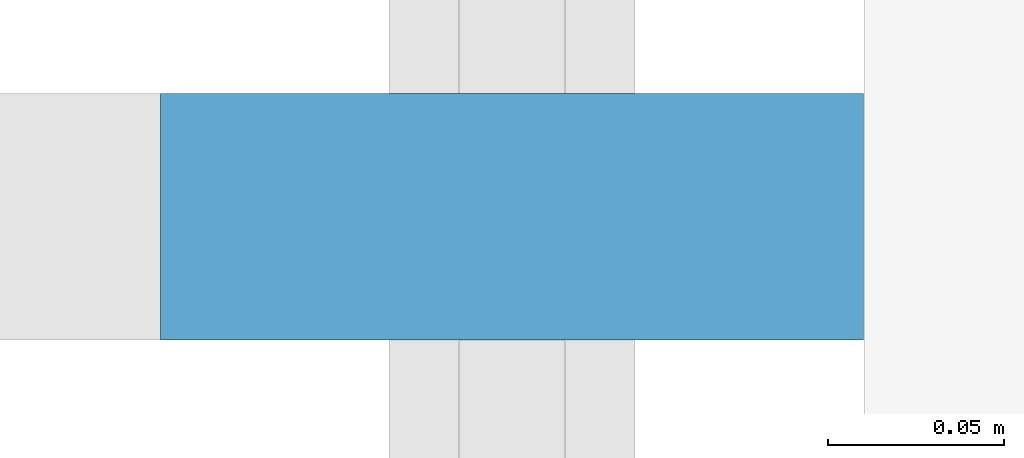
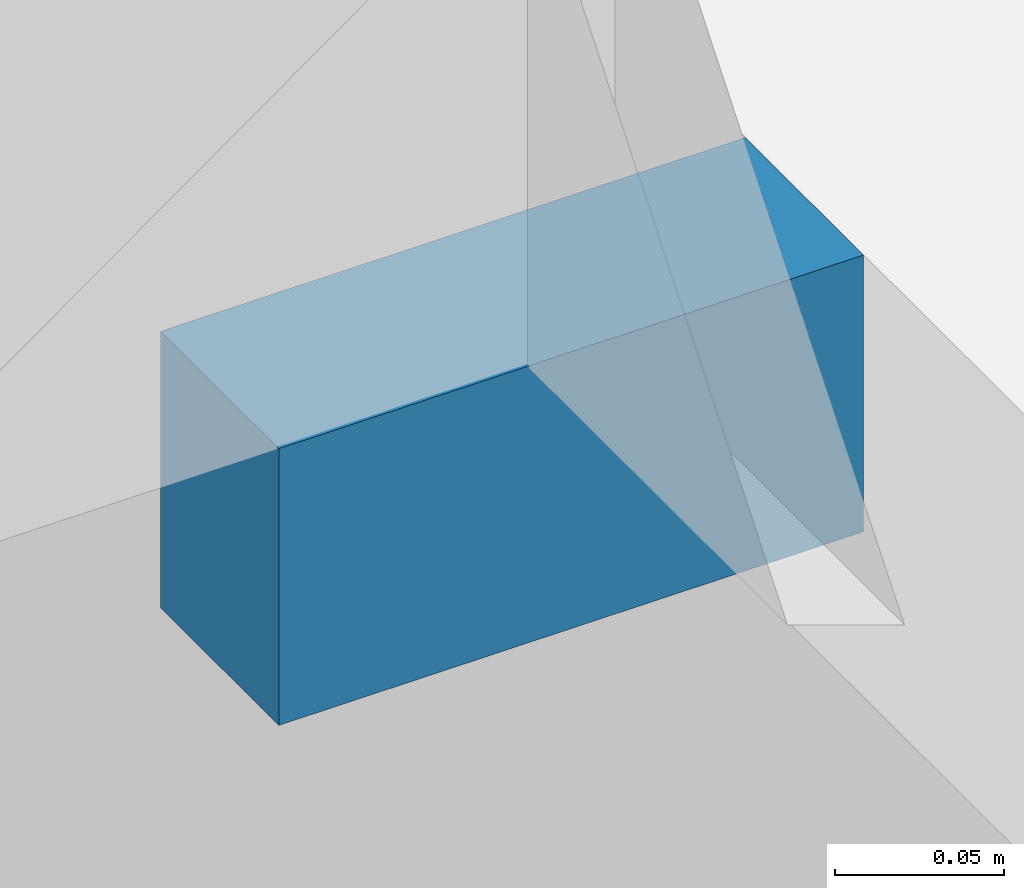
# One storey, part 12 of 16: 1 discrete accessory.
"""IFC4 building model written with IfcOpenShell, lengths in metres."""

from ifc_helpers import new_model, si_unit, direction, frame, origin, origin_2d, place, context, subcontext, project, spatial, rectangle, extrude, element, save


model = new_model("IFC4")

# Units and contexts
model_context = context("Model", 3, precision=1e-05, world=origin(), true_north=direction((0.0, 1.0)))
body_context = subcontext(model_context, "Body", "Model", "MODEL_VIEW")
ifc_project = project(units=[si_unit("LENGTHUNIT", "METRE"), si_unit("AREAUNIT", "SQUARE_METRE"), si_unit("VOLUMEUNIT", "CUBIC_METRE"), si_unit("PLANEANGLEUNIT", "RADIAN"), si_unit("MASSUNIT", "GRAM", prefix="KILO")], contexts=[model_context])

# Site, building, storey
site_placement = place(None, origin())
site = spatial("IfcSite", under=ifc_project, at=site_placement, CompositionType="ELEMENT")
building_placement = place(site_placement, origin())
building = spatial("IfcBuilding", under=site, at=building_placement, Name="Daluyong Arena Tower", CompositionType="ELEMENT")
storey_placement = place(building_placement, frame((0.0, 0.0, 206.5)))
storey = spatial("IfcBuildingStorey", under=building, at=storey_placement, Name="L46", CompositionType="ELEMENT", Elevation=206.5)

# Discrete accessory
discrete_accessory_placement = place(storey_placement, frame((34.25, 87.386474609375, -0.10009765625), z_axis=(0.0, 0.0, 1.0), x_axis=(0.0, -1.0, 0.0)))
element("IfcDiscreteAccessory", 1, at=discrete_accessory_placement, inside=storey, Name="curtain wall L46 W anchor bracket 4", PredefinedType="BRACKET", context=body_context, shape_type="SweptSolid", body=[
    extrude(rectangle(XDim=0.070068359375, YDim=0.199951171875, at=origin_2d()), origin(), (0.0, 0.0, 1.0), 0.10009765625),
])

save(model, "model.ifc")
